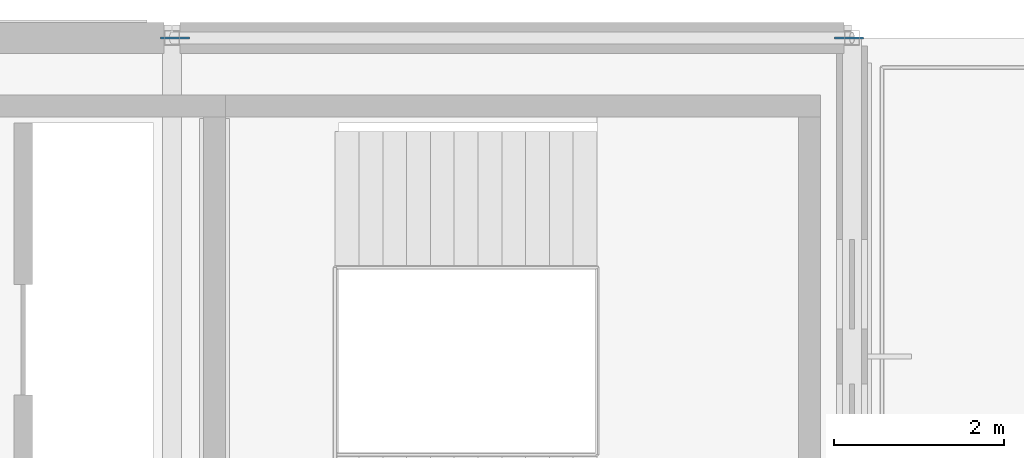
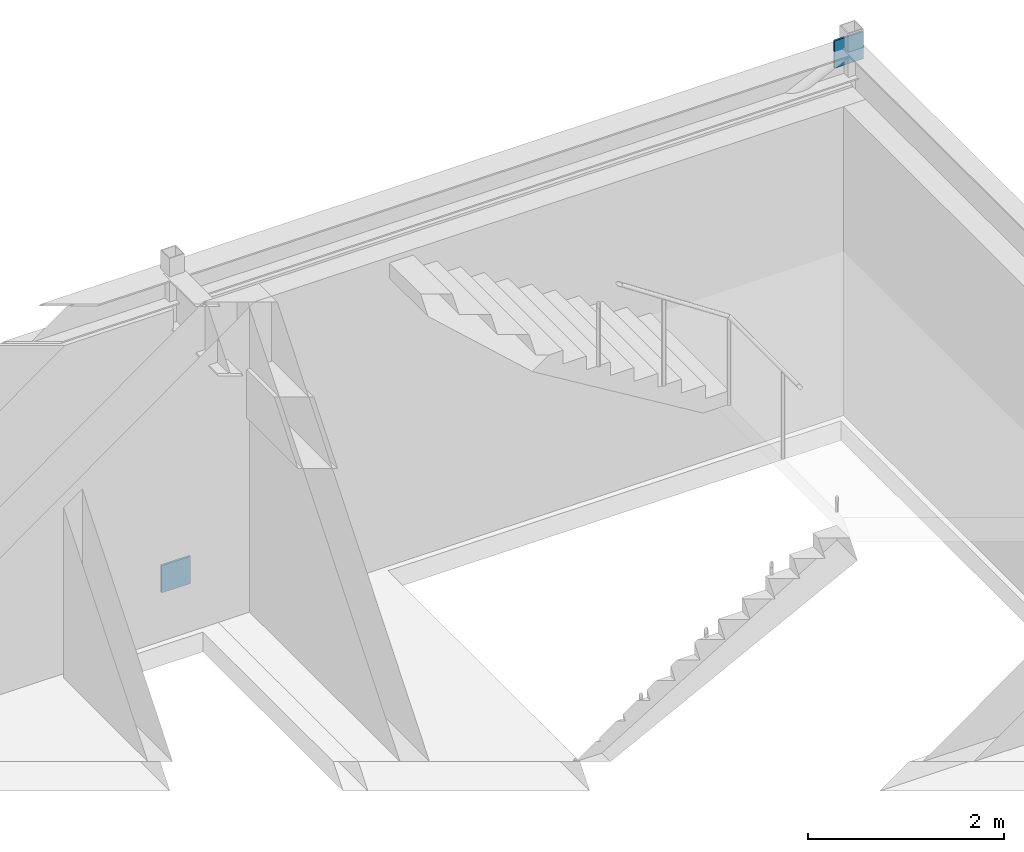
# One storey, part 60 of 65: 2 discrete accessories.
"""IFC4 building model written with IfcOpenShell, lengths in metres."""

from ifc_helpers import new_model, si_unit, direction, frame, origin, origin_2d, place, context, subcontext, project, spatial, rectangle, extrude, material, type_object, element, save


model = new_model("IFC4")

# Units and contexts
model_context = context("Model", 3, precision=1e-05, world=origin(), true_north=direction((0.0, 1.0)))
body_context = subcontext(model_context, "Body", "Model", "MODEL_VIEW")
ifc_project = project(units=[si_unit("LENGTHUNIT", "METRE"), si_unit("AREAUNIT", "SQUARE_METRE"), si_unit("VOLUMEUNIT", "CUBIC_METRE"), si_unit("PLANEANGLEUNIT", "RADIAN"), si_unit("MASSUNIT", "GRAM", prefix="KILO")], contexts=[model_context])

# Site, building, storey
site_placement = place(None, origin())
site = spatial("IfcSite", under=ifc_project, at=site_placement, CompositionType="ELEMENT")
building_placement = place(site_placement, origin())
building = spatial("IfcBuilding", under=site, at=building_placement, Name="Montecoro Central Library", CompositionType="ELEMENT")
storey_placement = place(building_placement, frame((0.0, 0.0, 17.340087890625)))
storey = spatial("IfcBuildingStorey", under=building, at=storey_placement, Name="L04", CompositionType="ELEMENT", Elevation=17.340087890625)

# Discrete accessories
ifc_material = material(Name="Steel S355", Category="steel")
discrete_accessory_type = type_object("IfcDiscreteAccessoryType", Name="GUSSET-PLT-01", PredefinedType="BRACKET", material=ifc_material)
for number, where, z_axis, x_axis, name in (
    (1, (149.035888671875, 119.0, -0.14306640625), (0.0, 0.0, 1.0), (1.0, 0.0, 0.0), "V5-L04-BRN1-GPA"),
    (2, (156.964111328125, 119.0, 3.61767578125), (0.0, 0.0, 1.0), (1.0, 0.0, 0.0), "V5-L04-BRN1-GPB"),
):
    element("IfcDiscreteAccessory", number, at=place(storey_placement, frame(where, z_axis=z_axis, x_axis=x_axis)), inside=storey, type_object=discrete_accessory_type, Name=name, PredefinedType="BRACKET", context=body_context, shape_type="SweptSolid", body=[
        extrude(rectangle(XDim=0.340087890625, YDim=0.02392578125, at=origin_2d()), origin(), (0.0, 0.0, 1.0), 0.340087890625),
    ])

save(model, "model.ifc")
